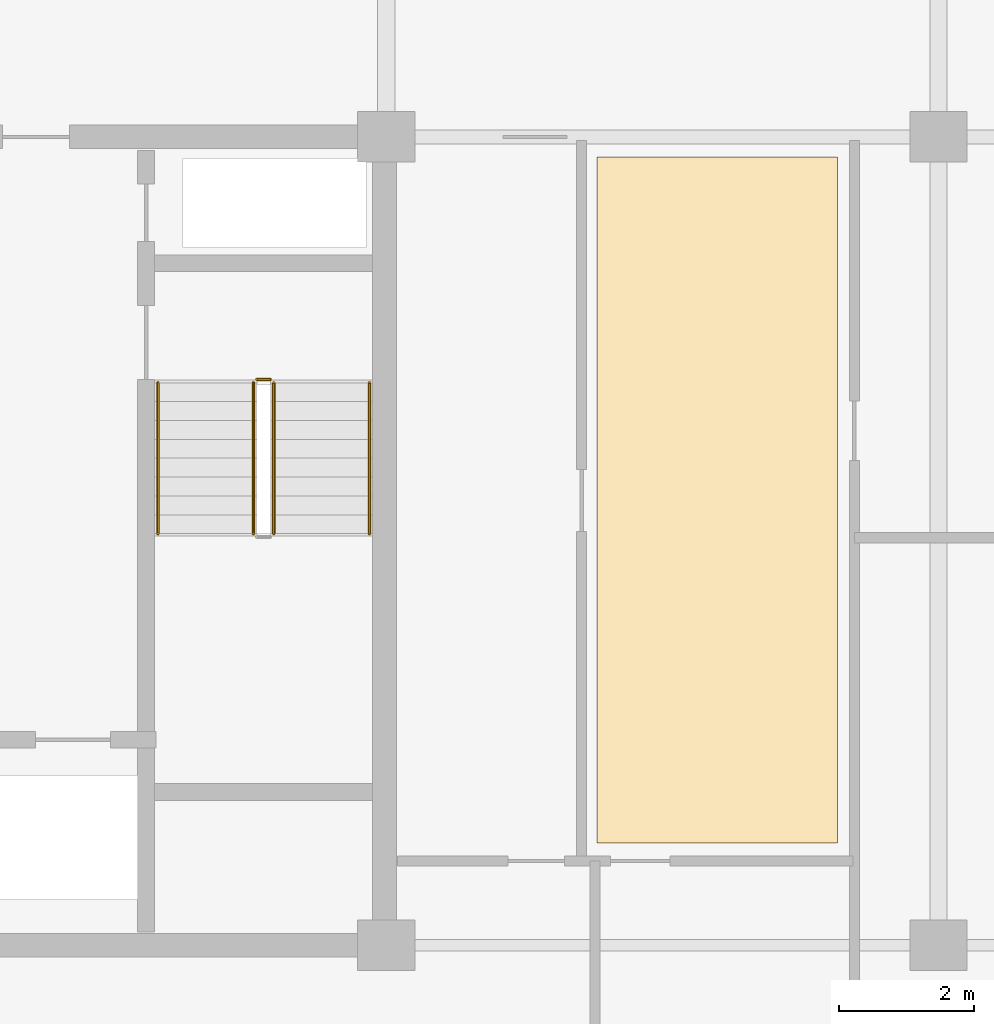
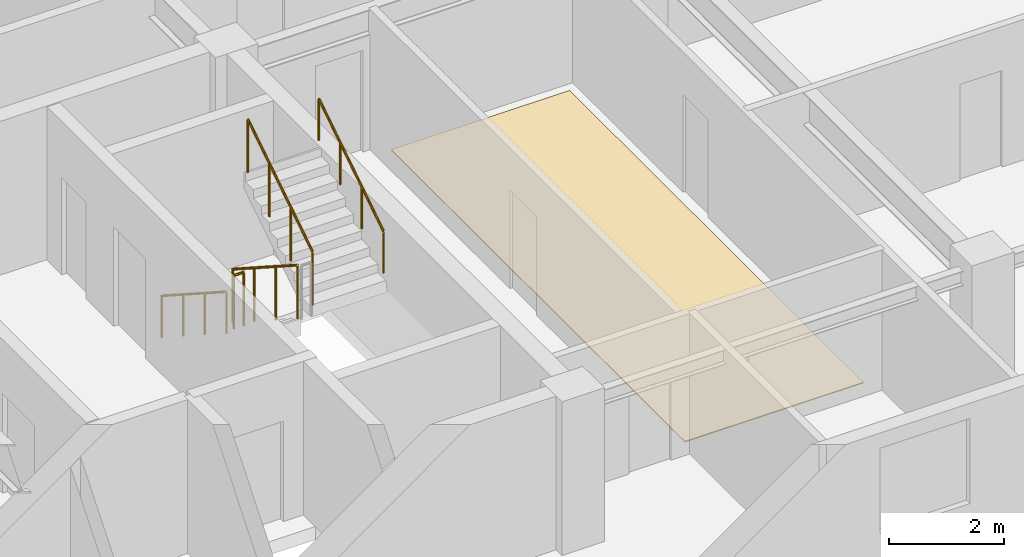
# One storey, part 23 of 24: 5 railings, 1 covering.
"""IFC4 building model written with IfcOpenShell, lengths in metres."""

import ifcopenshell
import ifcopenshell.guid

model = None  # the IFC model being written
_history = None  # IfcOwnerHistory: only IFC2X3 demands one
_inside = {}  # id of a spatial element -> (the spatial element, [elements in it])
_under = {}  # id of a project, library or spatial element -> (it, [spatial elements below it])
_declared = {}  # id of a project -> (the project, [libraries it declares])
_typed = {}  # id of a type object -> (the type object, [elements of that type])
_made_of = {}  # id of a material, layer set ... -> (it, [elements and type objects made of it])


def new_model(schema):
    """Start an empty IFC model of exactly this schema.

    Asked for "IFC4X3", IfcOpenShell would pick the latest addendum, in which some entities
    have other attributes; the version numbers below select the first issue.
    IFC2X3 requires an IfcOwnerHistory on every rooted entity: one is made here for all.
    """
    global model, _history
    if schema == "IFC4X3":
        model = ifcopenshell.file(schema_version=(4, 3, 0, 0))
    else:
        model = ifcopenshell.file(schema=schema)
    _inside.clear()
    _under.clear()
    _declared.clear()
    _typed.clear()
    _made_of.clear()
    _history = None
    if model.schema == "IFC2X3":
        org = make("IfcOrganization", Name="unknown")
        user = make(
            "IfcPersonAndOrganization",
            ThePerson=make("IfcPerson", FamilyName="unknown"),
            TheOrganization=org,
        )
        app = make(
            "IfcApplication",
            ApplicationDeveloper=org,
            Version="unknown",
            ApplicationFullName="unknown",
            ApplicationIdentifier="unknown",
        )
        _history = make(
            "IfcOwnerHistory",
            OwningUser=user,
            OwningApplication=app,
            ChangeAction="ADDED",
            CreationDate=0,
        )
    return model


def make(cls, **values):
    """One entity of the class cls with the attributes given. An attribute that is None is left unset."""
    return model.create_entity(
        cls, **{name: value for name, value in values.items() if value is not None}
    )


def rooted(cls, **values):
    """An entity with a GlobalId (a new one), such as an element, a storey or a relation."""
    return make(cls, GlobalId=ifcopenshell.guid.new(), OwnerHistory=_history, **values)


def si_unit(unit_type, name, prefix=None):
    """IfcSIUnit, for example si_unit("LENGTHUNIT", "METRE", prefix="MILLI")."""
    return make("IfcSIUnit", UnitType=unit_type, Prefix=prefix, Name=name)


def assignment(units):
    """IfcUnitAssignment: the units of a project."""
    return None if units is None else make("IfcUnitAssignment", Units=units)


def point(xyz):
    """IfcCartesianPoint."""
    return None if xyz is None else make("IfcCartesianPoint", Coordinates=xyz)


def direction(xyz):
    """IfcDirection."""
    return None if xyz is None else make("IfcDirection", DirectionRatios=xyz)


def frame(location, z_axis=None, x_axis=None):
    """IfcAxis2Placement3D, a coordinate frame: its origin and axes. An axis left out is left unset."""
    return make(
        "IfcAxis2Placement3D",
        Location=point(location),
        Axis=direction(z_axis),
        RefDirection=direction(x_axis),
    )


def frame_2d(location, x_axis=None):
    """IfcAxis2Placement2D, a coordinate frame in the plane: its origin and x axis."""
    return make(
        "IfcAxis2Placement2D", Location=point(location), RefDirection=direction(x_axis)
    )


def origin():
    """The frame at (0, 0, 0) with its axes left unset."""
    return frame((0.0, 0.0, 0.0))


def origin_2d():
    """The frame at (0, 0) in the plane with its x axis left unset."""
    return frame_2d((0.0, 0.0))


def place(relative_to, where):
    """IfcLocalPlacement: puts the frame where relative to a parent placement (None: the world)."""
    return make(
        "IfcLocalPlacement", PlacementRelTo=relative_to, RelativePlacement=where
    )


def context(
    kind, dimensions, precision=None, world=None, true_north=None, identifier=None
):
    """IfcGeometricRepresentationContext, for example the 3D "Model" context."""
    return make(
        "IfcGeometricRepresentationContext",
        ContextIdentifier=identifier,
        ContextType=kind,
        CoordinateSpaceDimension=dimensions,
        Precision=precision,
        WorldCoordinateSystem=world,
        TrueNorth=true_north,
    )


def subcontext(parent, identifier, kind, view, scale=None):
    """IfcGeometricRepresentationSubContext, for example "Body" below "Model"."""
    return make(
        "IfcGeometricRepresentationSubContext",
        ContextIdentifier=identifier,
        ContextType=kind,
        ParentContext=parent,
        TargetScale=scale,
        TargetView=view,
    )


def project(units=None, contexts=None):
    """IfcProject with its units and contexts."""
    return rooted(
        "IfcProject",
        Name="project",
        RepresentationContexts=contexts,
        UnitsInContext=assignment(units),
    )


def spatial(cls, under=None, at=None, **own):
    """A site, building, storey or space (cls), placed at a placement, below another one or the project."""
    s = rooted(cls, ObjectPlacement=at, **own)
    if under is not None:
        _under.setdefault(under.id(), (under, []))[1].append(s)
    return s


def polyline(points):
    """IfcPolyline through the points."""
    return make("IfcPolyline", Points=[point(p) for p in points])


def profile(cls, at=None, kind="AREA", **sizes):
    """A parametric profile (cls). Its sizes go by their IFC names, for example OverallWidth=200.0."""
    return make(cls, ProfileType=kind, Position=at, **sizes)


def circle(**sizes):
    """IfcCircleProfileDef."""
    return profile("IfcCircleProfileDef", **sizes)


def outline(outer, holes=None, kind="AREA"):
    """IfcArbitraryClosedProfileDef: a profile drawn as a closed curve; with holes, ...WithVoids."""
    if holes is None:
        return make("IfcArbitraryClosedProfileDef", ProfileType=kind, OuterCurve=outer)
    return make(
        "IfcArbitraryProfileDefWithVoids",
        ProfileType=kind,
        OuterCurve=outer,
        InnerCurves=holes,
    )


def extrude(swept, where, along, depth):
    """IfcExtrudedAreaSolid: the profile swept, set in the frame where, extruded along a direction by depth."""
    return make(
        "IfcExtrudedAreaSolid",
        SweptArea=swept,
        Position=where,
        ExtrudedDirection=direction(along),
        Depth=depth,
    )


def shape(context_of_items, identifier, shape_type, items):
    """IfcShapeRepresentation: the items that make up one representation, for example the "Body"."""
    return make(
        "IfcShapeRepresentation",
        ContextOfItems=context_of_items,
        RepresentationIdentifier=identifier,
        RepresentationType=shape_type,
        Items=items,
    )


def material(Name=None, Category=None):
    """IfcMaterial."""
    return make("IfcMaterial", Name=Name, Category=Category)


def layer(
    of_material, thickness, ventilated=None, Name=None, Category=None, Priority=None
):
    """IfcMaterialLayer: one layer of a wall or slab, of a material (None: an air gap)."""
    return make(
        "IfcMaterialLayer",
        Material=of_material,
        LayerThickness=thickness,
        IsVentilated=ventilated,
        Name=Name,
        Category=Category,
        Priority=Priority,
    )


def layer_set(layers, Name=None):
    """IfcMaterialLayerSet."""
    return make("IfcMaterialLayerSet", MaterialLayers=layers, LayerSetName=Name)


def made_of(thing, what):
    """Note that an element or type object is made of a material, layer set ...; save() writes the relation."""
    if what is not None:
        _made_of.setdefault(what.id(), (what, []))[1].append(thing)
    return thing


def type_object(cls, material=None, **own):
    """A type object (cls), such as IfcWallType, which elements share."""
    return made_of(rooted(cls, **own), material)


def element(
    cls,
    number,
    at=None,
    inside=None,
    cuts=None,
    type_object=None,
    material=None,
    context=None,
    identifier="Body",
    shape_type=None,
    held_by="IfcProductDefinitionShape",
    body=None,
    shapes=None,
    **own,
):
    """One element of the class cls, such as IfcWall. Its Tag is "e" and its number.

    at: its placement. inside: the storey or other place that contains it. cuts: it is an
    opening in that element (IfcRelVoidsElement). A single representation is given by context,
    identifier, shape_type and body (its items); several are given by shapes. held_by: the class
    of the entity that holds the representations. save() writes the other relations.
    """
    e = rooted(cls, Tag="e%d" % number, ObjectPlacement=at, **own)
    if body is not None:
        shapes = [shape(context, identifier, shape_type, body)]
    if shapes is not None:
        e.Representation = make(held_by, Representations=shapes)
    if inside is not None:
        _inside.setdefault(inside.id(), (inside, []))[1].append(e)
    if cuts is not None:
        rooted(
            "IfcRelVoidsElement", RelatingBuildingElement=cuts, RelatedOpeningElement=e
        )
    if type_object is not None:
        _typed.setdefault(type_object.id(), (type_object, []))[1].append(e)
    return made_of(e, material)


def aggregate(whole, parts):
    """IfcRelAggregates: a whole, such as a stair, and the parts it consists of."""
    return rooted("IfcRelAggregates", RelatingObject=whole, RelatedObjects=parts)


def save(model, path):
    """Write the relations noted so far, then the file.

    IfcRelAggregates (storeys below a building ...), IfcRelContainedInSpatialStructure (elements
    in a storey), IfcRelDefinesByType, IfcRelAssociatesMaterial and IfcRelDeclares: one each for
    every whole, place, type object, material and project.
    """
    for whole, parts in _under.values():
        aggregate(whole, parts)
    for where, things in _inside.values():
        rooted(
            "IfcRelContainedInSpatialStructure",
            RelatedElements=things,
            RelatingStructure=where,
        )
    for kind, things in _typed.values():
        rooted("IfcRelDefinesByType", RelatedObjects=things, RelatingType=kind)
    for what, things in _made_of.values():
        rooted("IfcRelAssociatesMaterial", RelatedObjects=things, RelatingMaterial=what)
    for by, libraries in _declared.values():
        rooted("IfcRelDeclares", RelatingContext=by, RelatedDefinitions=libraries)
    model.write(path)


model = new_model("IFC4")

# Units and contexts
model_context = context("Model", 3, precision=1e-05, world=origin(), true_north=direction((0.0, 1.0)))
body_context = subcontext(model_context, "Body", "Model", "MODEL_VIEW")
ifc_project = project(units=[si_unit("LENGTHUNIT", "METRE"), si_unit("AREAUNIT", "SQUARE_METRE"), si_unit("VOLUMEUNIT", "CUBIC_METRE"), si_unit("PLANEANGLEUNIT", "RADIAN"), si_unit("MASSUNIT", "GRAM", prefix="KILO")], contexts=[model_context])

# Site, building, storey
site_placement = place(None, origin())
site = spatial("IfcSite", under=ifc_project, at=site_placement, CompositionType="ELEMENT")
building_placement = place(site_placement, origin())
building = spatial("IfcBuilding", under=site, at=building_placement, Name="Korimba Cascade Residences", CompositionType="ELEMENT")
storey_placement = place(building_placement, frame((0.0, 0.0, 168.60009765625)))
storey = spatial("IfcBuildingStorey", under=building, at=storey_placement, Name="L48", CompositionType="ELEMENT", Elevation=168.60009765625)

# Covering
ifc_material_1 = material(Name="Engineered Spotted-Gum Timber Flooring", Category="wood")
ifc_layer = layer(ifc_material_1, 0.02001953125)
ifc_layer_set = layer_set([ifc_layer], Name="Engineered Spotted-Gum Timber Flooring")
covering_type = type_object("IfcCoveringType", Name="COV-FLR-TIM", PredefinedType="FLOORING", material=ifc_layer_set)
covering_placement = place(storey_placement, origin())
element("IfcCovering", 1, at=covering_placement, inside=storey, type_object=covering_type, Name="L48 Spotted-Gum Timber Flooring L48-T1-FE-L", PredefinedType="FLOORING", context=body_context, shape_type="SweptSolid", body=[
    extrude(outline(polyline([(115.22998046875, 56.719970703125), (118.800048828125, 56.719970703125), (118.800048828125, 66.89990234375), (115.22998046875, 66.89990234375), (115.22998046875, 56.719970703125)])), origin(), (0.0, 0.0, 1.0), 0.02001953125),
])

# Railings
ifc_material_2 = material(Name="Painted Steel Stairwell Guardrail", Category="steel")
railing_type_1 = type_object("IfcRailingType", Name="RLG-ST-GD1150", PredefinedType="GUARDRAIL", material=ifc_material_2)
railing_1_placement = place(storey_placement, frame((110.1298828125, 63.550048828125, 0.180419921875)))
element("IfcRailing", 2, at=railing_1_placement, inside=storey, type_object=railing_type_1, Name="L48 ST-W2 stair guard 1", PredefinedType="GUARDRAIL", context=body_context, shape_type="SweptSolid", body=[
    extrude(circle(Radius=0.02392578125, at=origin_2d()), frame((0.0, 0.0, 1.1259765625), z_axis=(0.0, -0.840394893359, 0.541974559565), x_axis=(1.0, 0.0, 0.0)), (0.0, 0.0, 1.0), 2.665283203125),
    extrude(circle(Radius=0.02099609375, at=origin_2d()), origin(), (0.0, 0.0, 1.0), 1.101806640625),
    extrude(circle(Radius=0.02099609375, at=origin_2d()), frame((0.0, -0.74658203125, 0.4814453125)), (0.0, 0.0, 1.0), 1.101806640625),
    extrude(circle(Radius=0.02099609375, at=origin_2d()), frame((0.0, -1.493408203125, 0.963134765625)), (0.0, 0.0, 1.0), 1.101806640625),
    extrude(circle(Radius=0.02099609375, at=origin_2d()), frame((0.0, -2.239990234375, 1.444580078125)), (0.0, 0.0, 1.0), 1.101806640625),
])
railing_2_placement = place(storey_placement, frame((110.429931640625, 61.31005859375, 1.805419921875)))
element("IfcRailing", 3, at=railing_2_placement, inside=storey, type_object=railing_type_1, Name="L48 ST-W2 stair guard 3", PredefinedType="GUARDRAIL", context=body_context, shape_type="SweptSolid", body=[
    extrude(circle(Radius=0.02392578125, at=origin_2d()), frame((0.0, 0.0, 1.1259765625), z_axis=(0.0, 0.840394893359, 0.541974559565), x_axis=(-1.0, 0.0, 0.0)), (0.0, 0.0, 1.0), 2.665283203125),
    extrude(circle(Radius=0.02099609375, at=origin_2d()), origin(), (0.0, 0.0, 1.0), 1.101806640625),
    extrude(circle(Radius=0.02099609375, at=origin_2d()), frame((0.0, 0.74658203125, 0.4814453125)), (0.0, 0.0, 1.0), 1.101806640625),
    extrude(circle(Radius=0.02099609375, at=origin_2d()), frame((0.0, 1.493408203125, 0.963134765625)), (0.0, 0.0, 1.0), 1.101806640625),
    extrude(circle(Radius=0.02099609375, at=origin_2d()), frame((0.0, 2.239990234375, 1.444580078125)), (0.0, 0.0, 1.0), 1.101806640625),
])
railing_3_placement = place(storey_placement, frame((110.179931640625, 63.60009765625, 0.0)))
element("IfcRailing", 4, at=railing_3_placement, inside=storey, type_object=railing_type_1, Name="L48 ST-W2 stair guard 4", PredefinedType="GUARDRAIL", context=body_context, shape_type="SweptSolid", body=[
    extrude(circle(Radius=0.02392578125, at=origin_2d()), frame((0.0, 0.0, 1.1259765625), z_axis=(1.0, 0.0, 0.0), x_axis=(0.0, 1.0, 0.0)), (0.0, 0.0, 1.0), 0.199951171875),
    extrude(circle(Radius=0.02099609375, at=origin_2d()), origin(), (0.0, 0.0, 1.0), 1.101806640625),
    extrude(circle(Radius=0.02099609375, at=origin_2d()), frame((0.199951171875, 0.0, 0.0)), (0.0, 0.0, 1.0), 1.101806640625),
])
ifc_material_3 = material(Name="Brushed Stainless Steel Handrail", Category="steel")
railing_type_2 = type_object("IfcRailingType", Name="RLG-ST-HR900", PredefinedType="HANDRAIL", material=ifc_material_3)
railing_4_placement = place(storey_placement, frame((108.7099609375, 63.550048828125, 0.36474609375)))
element("IfcRailing", 5, at=railing_4_placement, inside=storey, type_object=railing_type_2, Name="L48 ST-W2 stair handrail 1", PredefinedType="HANDRAIL", context=body_context, shape_type="SweptSolid", body=[
    extrude(circle(Radius=0.02392578125, at=origin_2d()), frame((0.0, 0.0, 0.8759765625), z_axis=(0.0, -0.840394893359, 0.541974559565), x_axis=(1.0, 0.0, 0.0)), (0.0, 0.0, 1.0), 2.665283203125),
    extrude(circle(Radius=0.02099609375, at=origin_2d()), origin(), (0.0, 0.0, 1.0), 0.851806640625),
    extrude(circle(Radius=0.02099609375, at=origin_2d()), frame((0.0, -0.74658203125, 0.4814453125)), (0.0, 0.0, 1.0), 0.851806640625),
    extrude(circle(Radius=0.02099609375, at=origin_2d()), frame((0.0, -1.493408203125, 0.963134765625)), (0.0, 0.0, 1.0), 0.851806640625),
    extrude(circle(Radius=0.02099609375, at=origin_2d()), frame((0.0, -2.239990234375, 1.444580078125)), (0.0, 0.0, 1.0), 0.851806640625),
])
railing_5_placement = place(storey_placement, frame((111.85009765625, 61.31005859375, 1.98974609375)))
element("IfcRailing", 6, at=railing_5_placement, inside=storey, type_object=railing_type_2, Name="L48 ST-W2 stair handrail 2", PredefinedType="HANDRAIL", context=body_context, shape_type="SweptSolid", body=[
    extrude(circle(Radius=0.02392578125, at=origin_2d()), frame((0.0, 0.0, 0.8759765625), z_axis=(0.0, 0.840394893359, 0.541974559565), x_axis=(-1.0, 0.0, 0.0)), (0.0, 0.0, 1.0), 2.665283203125),
    extrude(circle(Radius=0.02099609375, at=origin_2d()), origin(), (0.0, 0.0, 1.0), 0.851806640625),
    extrude(circle(Radius=0.02099609375, at=origin_2d()), frame((0.0, 0.74658203125, 0.4814453125)), (0.0, 0.0, 1.0), 0.851806640625),
    extrude(circle(Radius=0.02099609375, at=origin_2d()), frame((0.0, 1.493408203125, 0.963134765625)), (0.0, 0.0, 1.0), 0.851806640625),
    extrude(circle(Radius=0.02099609375, at=origin_2d()), frame((0.0, 2.239990234375, 1.444580078125)), (0.0, 0.0, 1.0), 0.851806640625),
])

save(model, "model.ifc")
